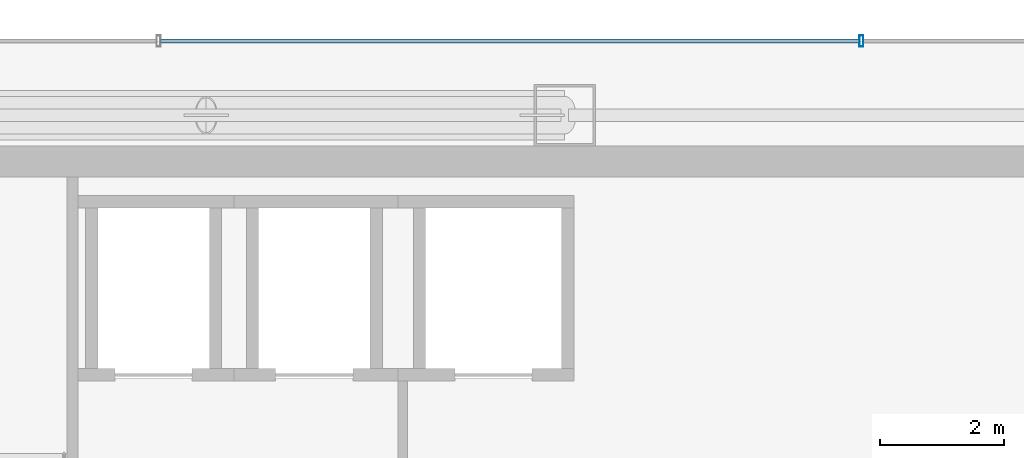
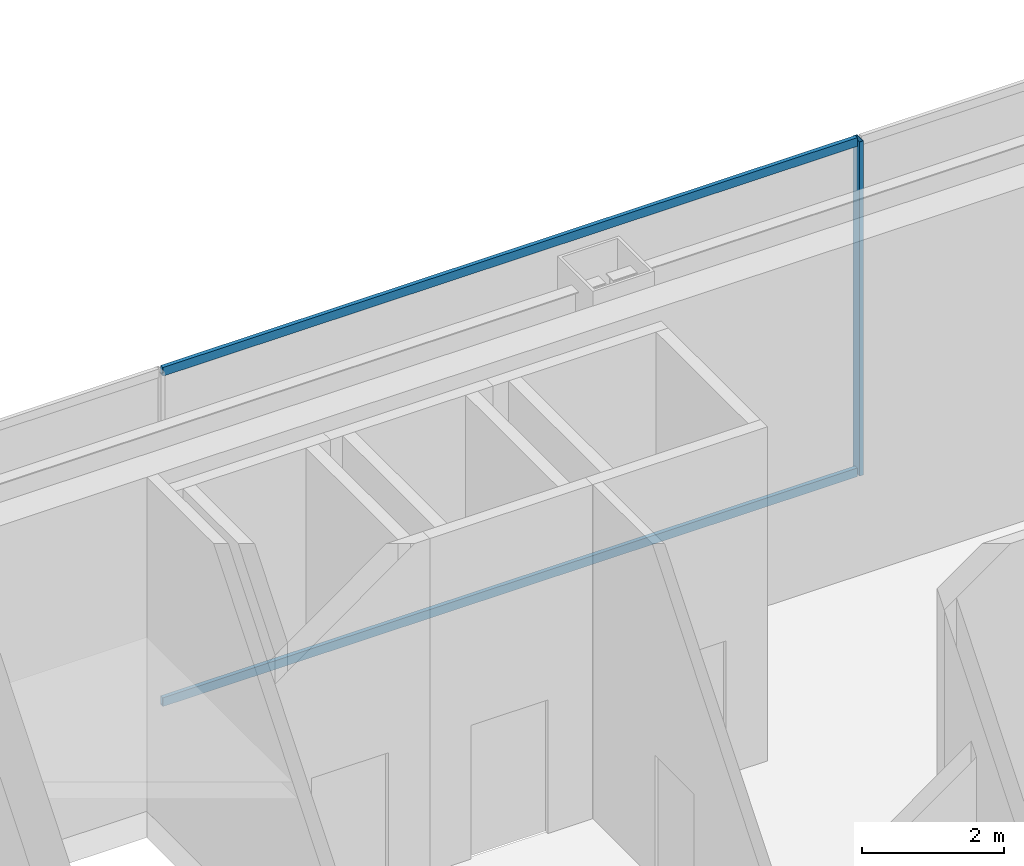
# One storey, part 20 of 30: 3 members, 1 element without a shape of its own.
"""IFC4 building model written with IfcOpenShell, lengths in metres."""

from ifc_helpers import new_model, si_unit, direction, frame, origin, origin_2d, place, context, subcontext, project, spatial, hollow_rectangle, extrude, material, material_profile, profile_set, type_object, element, aggregate, save


model = new_model("IFC4")

# Units and contexts
model_context = context("Model", 3, precision=1e-05, world=origin(), true_north=direction((0.0, 1.0)))
body_context = subcontext(model_context, "Body", "Model", "MODEL_VIEW")
ifc_project = project(units=[si_unit("LENGTHUNIT", "METRE"), si_unit("AREAUNIT", "SQUARE_METRE"), si_unit("VOLUMEUNIT", "CUBIC_METRE"), si_unit("PLANEANGLEUNIT", "RADIAN"), si_unit("MASSUNIT", "GRAM", prefix="KILO")], contexts=[model_context])

# Site, building, storey
site_placement = place(None, origin())
site = spatial("IfcSite", under=ifc_project, at=site_placement, CompositionType="ELEMENT")
building_placement = place(site_placement, origin())
building = spatial("IfcBuilding", under=site, at=building_placement, Name="Saevonmaru Cultural Tower", CompositionType="ELEMENT")
storey_placement = place(building_placement, frame((0.0, 0.0, 123.60009765625)))
storey = spatial("IfcBuildingStorey", under=building, at=storey_placement, Name="L26", CompositionType="ELEMENT", Elevation=123.60009765625)

# Curtain wall, members
ifc_material = material(Name="Satin Bronze Anodised Aluminium", Category="aluminium")
curtain_wall_type = type_object("IfcCurtainWallType", Name="CW-TYP-A", PredefinedType="NOTDEFINED", material=ifc_material)
curtain_wall_placement = place(storey_placement, origin())
curtain_wall = element("IfcCurtainWall", 1, at=curtain_wall_placement, inside=storey, type_object=curtain_wall_type, Name="L26 Wind-Floor Acoustic Louvre Screen E10", PredefinedType="NOTDEFINED")
ifc_material_profile_1 = material_profile(ifc_material, hollow_rectangle(XDim=0.06494140625, YDim=0.179931640625, WallThickness=0.00390625, at=origin_2d()), Name="ALU-MULL-180x65x4")
ifc_profile_set_1 = profile_set([ifc_material_profile_1], Name="Satin Bronze Anodised Aluminium")
member_type_1 = type_object("IfcMemberType", Name="ML-CW-180x65", PredefinedType="MULLION", material=ifc_profile_set_1)
member_1_placement = place(storey_placement, frame((30.0, 56.0, 0.0), z_axis=(0.0, 0.0, 1.0), x_axis=(-1.0, 0.0, 0.0)))
member_1 = element("IfcMember", 2, at=member_1_placement, type_object=member_type_1, Name="CW-TW-L26-E10 mullion 3", PredefinedType="MULLION", context=body_context, shape_type="SweptSolid", body=[
    extrude(hollow_rectangle(XDim=0.06494140625, YDim=0.179931640625, WallThickness=0.00390625, at=origin_2d()), origin(), (0.0, 0.0, 1.0), 5.75),
])
ifc_material_profile_2 = material_profile(ifc_material, hollow_rectangle(XDim=0.06494140625, YDim=0.14990234375, WallThickness=0.00390625, at=origin_2d()), Name="ALU-TRAN-150x65x4")
ifc_profile_set_2 = profile_set([ifc_material_profile_2], Name="Satin Bronze Anodised Aluminium")
member_type_2 = type_object("IfcMemberType", Name="TR-CW-150x65", PredefinedType="USERDEFINED", material=ifc_profile_set_2)
member_2_placement = place(storey_placement, frame((29.967529296875, 56.0, 0.032470703125), z_axis=(-1.0, 0.0, 0.0), x_axis=(0.0, -1.0, 0.0)))
member_2 = element("IfcMember", 3, at=member_2_placement, type_object=member_type_2, Name="CW-TW-L26-E10 transom 3.1", ObjectType="TRANSOM", PredefinedType="USERDEFINED", context=body_context, shape_type="SweptSolid", body=[
    extrude(hollow_rectangle(XDim=0.06494140625, YDim=0.14990234375, WallThickness=0.00390625, at=origin_2d()), origin(), (0.0, 0.0, 1.0), 11.304931640625),
])
member_3_placement = place(storey_placement, frame((29.967529296875, 56.0, 5.71728515625), z_axis=(-1.0, 0.0, 0.0), x_axis=(0.0, -1.0, 0.0)))
member_3 = element("IfcMember", 4, at=member_3_placement, type_object=member_type_2, Name="CW-TW-L26-E10 transom 3.2", ObjectType="TRANSOM", PredefinedType="USERDEFINED", context=body_context, shape_type="SweptSolid", body=[
    extrude(hollow_rectangle(XDim=0.06494140625, YDim=0.14990234375, WallThickness=0.00390625, at=origin_2d()), origin(), (0.0, 0.0, 1.0), 11.304931640625),
])
aggregate(curtain_wall, [member_1, member_2, member_3])

save(model, "model.ifc")
